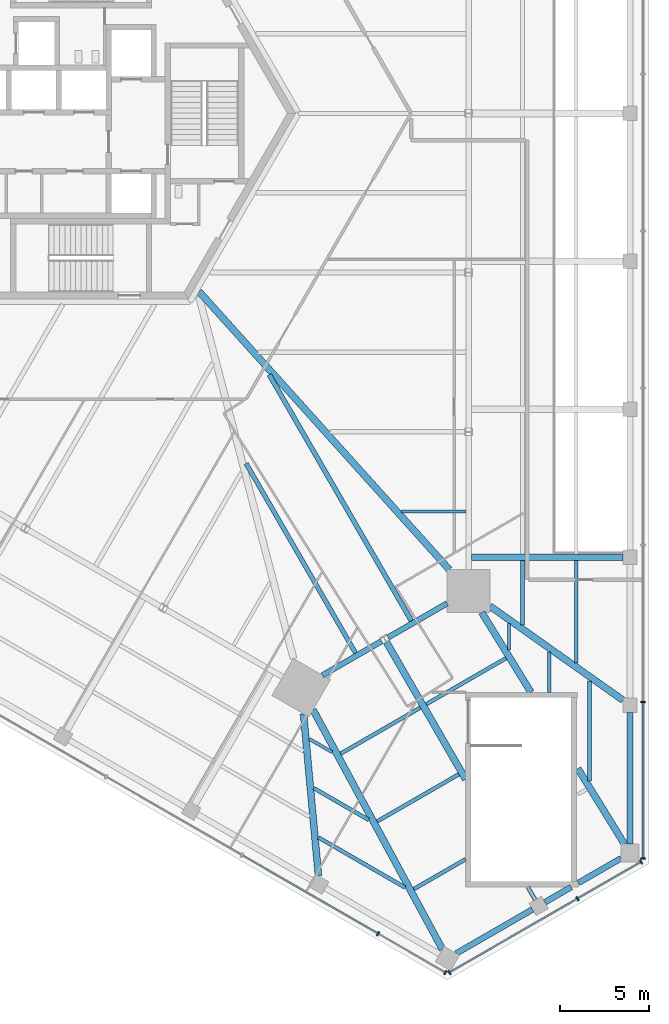
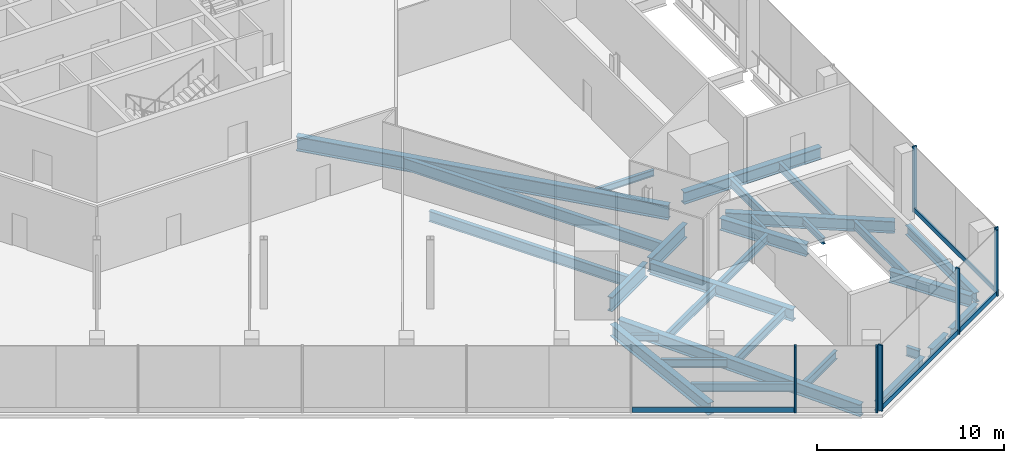
# One storey, part 10 of 25: 30 beams, 11 members, 3 elements without a shape of their own.
"""IFC4 building model written with IfcOpenShell, lengths in metres."""

from ifc_helpers import new_model, si_unit, direction, frame, origin, origin_2d, place, context, subcontext, project, spatial, rectangle, i_section, extrude, source, transform, mapped, material, material_profile, profile_set, type_object, element, aggregate, save


model = new_model("IFC4")

# Units and contexts
model_context = context("Model", 3, precision=1e-05, world=origin(), true_north=direction((0.0, 1.0)))
body_context = subcontext(model_context, "Body", "Model", "MODEL_VIEW")
ifc_project = project(units=[si_unit("LENGTHUNIT", "METRE"), si_unit("AREAUNIT", "SQUARE_METRE"), si_unit("VOLUMEUNIT", "CUBIC_METRE"), si_unit("PLANEANGLEUNIT", "RADIAN"), si_unit("MASSUNIT", "GRAM", prefix="KILO")], contexts=[model_context])

# Site, building, storey
site_placement = place(None, origin())
site = spatial("IfcSite", under=ifc_project, at=site_placement, CompositionType="ELEMENT")
building_placement = place(site_placement, origin())
building = spatial("IfcBuilding", under=site, at=building_placement, Name="Triune Harvest Tower", CompositionType="ELEMENT")
storey_placement = place(building_placement, frame((0.0, 0.0, 11.5)))
storey = spatial("IfcBuildingStorey", under=building, at=storey_placement, Name="L02", CompositionType="ELEMENT", Elevation=11.5)

# Beams
ifc_material_1 = material(Name="Steel ASTM A992 Gr 50", Category="steel")
ifc_material_profile_1 = material_profile(ifc_material_1, i_section(OverallWidth=0.309814453125, OverallDepth=0.93212890625, WebThickness=0.02099609375, FlangeThickness=0.034423828125, at=origin_2d()), Name="W36x210")
ifc_profile_set_1 = profile_set([ifc_material_profile_1], Name="Steel ASTM A992 Gr 50")
beam_type_1 = type_object("IfcBeamType", Name="SB-3 Spandrel beam W36x210", PredefinedType="SPANDREL", material=ifc_profile_set_1)
shared_shape_1 = source(origin(), body_context, "Body", "SweptSolid", [
    extrude(i_section(OverallWidth=0.309814453125, OverallDepth=0.93212890625, WebThickness=0.02099609375, FlangeThickness=0.034423828125, at=origin_2d()), origin(), (0.0, 0.0, 1.0), 3.822265625),
])
beam_1_placement = place(storey_placement, frame((17.169189453125, -29.333984375, -0.666015625), z_axis=(0.866033487859, 0.499985997711, 0.0), x_axis=(-0.499985997711, 0.866033487859, 0.0)))
element("IfcBeam", 1, at=beam_1_placement, inside=storey, type_object=beam_type_1, Name="beam/L02/SB24", PredefinedType="SPANDREL", context=body_context, shape_type="MappedRepresentation", body=[
    mapped(shared_shape_1, transform((0.0, 0.0, 0.0), scale=1.0)),
])
shared_shape_2 = source(origin(), body_context, "Body", "SweptSolid", [
    extrude(i_section(OverallWidth=0.309814453125, OverallDepth=0.93212890625, WebThickness=0.02099609375, FlangeThickness=0.034423828125, at=origin_2d()), origin(), (0.0, 0.0, 1.0), 3.822509765625),
])
beam_2_placement = place(storey_placement, frame((13.509033203125, -31.447265625, -0.666015625), z_axis=(0.866005830769, 0.500033899925, 0.0), x_axis=(-0.500033899925, 0.866005830769, 0.0)))
element("IfcBeam", 2, at=beam_2_placement, inside=storey, type_object=beam_type_1, Name="beam/L02/SB23", PredefinedType="SPANDREL", context=body_context, shape_type="MappedRepresentation", body=[
    mapped(shared_shape_2, transform((0.0, 0.0, 0.0), scale=1.0)),
])
ifc_material_2 = material(Name="Steel ASTM A992 Gr 50", Category="steel")
ifc_material_profile_2 = material_profile(ifc_material_2, i_section(OverallWidth=0.383544921875, OverallDepth=0.9423828125, WebThickness=0.022216796875, FlangeThickness=0.039794921875, at=origin_2d()), Name="W36x232")
ifc_profile_set_2 = profile_set([ifc_material_profile_2], Name="Steel ASTM A992 Gr 50")
beam_type_2 = type_object("IfcBeamType", Name="HG-1 Hip girder W36x232", PredefinedType="BEAM", material=ifc_profile_set_2)
shared_shape_3 = source(origin(), body_context, "Body", "SweptSolid", [
    extrude(i_section(OverallWidth=0.383544921875, OverallDepth=0.9423828125, WebThickness=0.022216796875, FlangeThickness=0.039794921875, at=origin_2d()), origin(), (0.0, 0.0, 1.0), 20.933349609375),
])
beam_3_placement = place(storey_placement, frame((20.599365234375, -25.530029296875, -0.671142578125), z_axis=(-0.668990505388, 0.743270949049, 0.0), x_axis=(-0.743270949049, -0.668990505388, 0.0)))
element("IfcBeam", 3, at=beam_3_placement, inside=storey, type_object=beam_type_2, Name="beam/L02/HG1", PredefinedType="BEAM", context=body_context, shape_type="MappedRepresentation", body=[
    mapped(shared_shape_3, transform((0.0, 0.0, 0.0), scale=1.0)),
])
ifc_material_3 = material(Name="Steel ASTM A992 Gr 50", Category="steel")
ifc_material_profile_3 = material_profile(ifc_material_3, i_section(OverallWidth=0.180908203125, OverallDepth=0.41650390625, WebThickness=0.010986328125, FlangeThickness=0.01806640625, at=origin_2d()), Name="W16x57")
ifc_profile_set_3 = profile_set([ifc_material_profile_3], Name="Steel ASTM A992 Gr 50")
beam_type_3 = type_object("IfcBeamType", Name="JT-1 Floor joist W16x57", PredefinedType="JOIST", material=ifc_profile_set_3)
shared_shape_4 = source(origin(), body_context, "Body", "SweptSolid", [
    extrude(i_section(OverallWidth=0.180908203125, OverallDepth=0.41650390625, WebThickness=0.010986328125, FlangeThickness=0.01806640625, at=origin_2d()), origin(), (0.0, 0.0, 1.0), 3.596923828125),
])
beam_4_placement = place(storey_placement, frame((21.524658203125, -22.27490234375, -0.408203125), z_axis=(-1.0, 0.0, 0.0), x_axis=(0.0, -1.0, 0.0)))
element("IfcBeam", 4, at=beam_4_placement, inside=storey, type_object=beam_type_3, Name="beam/L02/JT1", PredefinedType="JOIST", context=body_context, shape_type="MappedRepresentation", body=[
    mapped(shared_shape_4, transform((0.0, 0.0, 0.0), scale=1.0)),
])
ifc_material_4 = material(Name="Steel ASTM A992 Gr 50", Category="steel")
ifc_material_profile_4 = material_profile(ifc_material_4, i_section(OverallWidth=0.2666015625, OverallDepth=0.7568359375, WebThickness=0.013916015625, FlangeThickness=0.019287109375, at=origin_2d()), Name="W30x108")
ifc_profile_set_4 = profile_set([ifc_material_profile_4], Name="Steel ASTM A992 Gr 50")
beam_type_4 = type_object("IfcBeamType", Name="JT-5 Floor joist W30x108", PredefinedType="JOIST", material=ifc_profile_set_4)
shared_shape_5 = source(origin(), body_context, "Body", "SweptSolid", [
    extrude(i_section(OverallWidth=0.2666015625, OverallDepth=0.7568359375, WebThickness=0.013916015625, FlangeThickness=0.019287109375, at=origin_2d()), origin(), (0.0, 0.0, 1.0), 15.9052734375),
])
beam_5_placement = place(storey_placement, frame((18.478515625, -28.399169921875, -0.57861328125), z_axis=(-0.499998823592, 0.866026082983, 0.0), x_axis=(-0.866026082983, -0.499998823592, 0.0)))
element("IfcBeam", 5, at=beam_5_placement, inside=storey, type_object=beam_type_4, Name="beam/L02/JT39", PredefinedType="JOIST", context=body_context, shape_type="MappedRepresentation", body=[
    mapped(shared_shape_5, transform((0.0, 0.0, 0.0), scale=1.0)),
])
ifc_material_5 = material(Name="Steel ASTM A992 Gr 50", Category="steel")
ifc_material_profile_5 = material_profile(ifc_material_5, i_section(OverallWidth=0.253662109375, OverallDepth=0.683349609375, WebThickness=0.012451171875, FlangeThickness=0.01904296875, at=origin_2d()), Name="W27x94")
ifc_profile_set_5 = profile_set([ifc_material_profile_5], Name="Steel ASTM A992 Gr 50")
beam_type_5 = type_object("IfcBeamType", Name="JT-4 Floor joist W27x94", PredefinedType="JOIST", material=ifc_profile_set_5)
shared_shape_6 = source(origin(), body_context, "Body", "SweptSolid", [
    extrude(i_section(OverallWidth=0.253662109375, OverallDepth=0.683349609375, WebThickness=0.012451171875, FlangeThickness=0.01904296875, at=origin_2d()), origin(), (0.0, 0.0, 1.0), 12.248291015625),
])
beam_6_placement = place(storey_placement, frame((15.35498046875, -30.202392578125, -0.54150390625), z_axis=(-0.499989318644, 0.86603157058, 0.0), x_axis=(-0.86603157058, -0.499989318644, 0.0)))
element("IfcBeam", 6, at=beam_6_placement, inside=storey, type_object=beam_type_5, Name="beam/L02/JT38", PredefinedType="JOIST", context=body_context, shape_type="MappedRepresentation", body=[
    mapped(shared_shape_6, transform((0.0, 0.0, 0.0), scale=1.0)),
])
ifc_material_6 = material(Name="Steel ASTM A992 Gr 50", Category="steel")
ifc_material_profile_6 = material_profile(ifc_material_6, i_section(OverallWidth=0.32763671875, OverallDepth=0.62744140625, WebThickness=0.0166015625, FlangeThickness=0.027587890625, at=origin_2d()), Name="W24x146")
ifc_profile_set_6 = profile_set([ifc_material_profile_6], Name="Steel ASTM A992 Gr 50")
beam_type_6 = type_object("IfcBeamType", Name="PD-4 Podium edge beam W24x146", PredefinedType="BEAM", material=ifc_profile_set_6)
shared_shape_7 = source(origin(), body_context, "Body", "SweptSolid", [
    extrude(i_section(OverallWidth=0.32763671875, OverallDepth=0.62744140625, WebThickness=0.0166015625, FlangeThickness=0.027587890625, at=origin_2d()), origin(), (0.0, 0.0, 1.0), 7.3798828125),
])
beam_7_placement = place(storey_placement, frame((30.715087890625, -40.89990234375, -0.513671875), z_axis=(0.0, 1.0, 0.0), x_axis=(-1.0, 0.0, 0.0)))
element("IfcBeam", 7, at=beam_7_placement, inside=storey, type_object=beam_type_6, Name="beam/L02/PE1", PredefinedType="BEAM", context=body_context, shape_type="MappedRepresentation", body=[
    mapped(shared_shape_7, transform((0.0, 0.0, 0.0), scale=1.0)),
])
shared_shape_8 = source(origin(), body_context, "Body", "SweptSolid", [
    extrude(i_section(OverallWidth=0.32763671875, OverallDepth=0.62744140625, WebThickness=0.0166015625, FlangeThickness=0.027587890625, at=origin_2d()), origin(), (0.0, 0.0, 1.0), 2.75390625),
])
beam_8_placement = place(storey_placement, frame((27.830078125, -43.065673828125, -0.513671875), z_axis=(0.866030577522, 0.499991038717, 0.0), x_axis=(-0.499991038717, 0.866030577522, 0.0)))
element("IfcBeam", 8, at=beam_8_placement, inside=storey, type_object=beam_type_6, Name="beam/L02/PE38", PredefinedType="BEAM", context=body_context, shape_type="MappedRepresentation", body=[
    mapped(shared_shape_8, transform((0.0, 0.0, 0.0), scale=1.0)),
])
shared_shape_9 = source(origin(), body_context, "Body", "SweptSolid", [
    extrude(i_section(OverallWidth=0.32763671875, OverallDepth=0.62744140625, WebThickness=0.0166015625, FlangeThickness=0.027587890625, at=origin_2d()), origin(), (0.0, 0.0, 1.0), 1.699951171875),
])
beam_9_placement = place(storey_placement, frame((25.951904296875, -44.14990234375, -0.513671875), z_axis=(0.866087547558, 0.499892348375, 0.0), x_axis=(-0.499892348375, 0.866087547558, 0.0)))
element("IfcBeam", 9, at=beam_9_placement, inside=storey, type_object=beam_type_6, Name="beam/L02/PE37", PredefinedType="BEAM", context=body_context, shape_type="MappedRepresentation", body=[
    mapped(shared_shape_9, transform((0.0, 0.0, 0.0), scale=1.0)),
])
shared_shape_10 = source(origin(), body_context, "Body", "SweptSolid", [
    extrude(i_section(OverallWidth=0.32763671875, OverallDepth=0.62744140625, WebThickness=0.0166015625, FlangeThickness=0.027587890625, at=origin_2d()), origin(), (0.0, 0.0, 1.0), 4.922607421875),
])
beam_10_placement = place(storey_placement, frame((20.995849609375, -47.01123046875, -0.513671875), z_axis=(0.866040230151, 0.499974319101, 0.0), x_axis=(-0.499974319101, 0.866040230151, 0.0)))
element("IfcBeam", 10, at=beam_10_placement, inside=storey, type_object=beam_type_6, Name="beam/L02/PE36", PredefinedType="BEAM", context=body_context, shape_type="MappedRepresentation", body=[
    mapped(shared_shape_10, transform((0.0, 0.0, 0.0), scale=1.0)),
])
ifc_material_7 = material(Name="Steel ASTM A992 Gr 50", Category="steel")
ifc_material_profile_7 = material_profile(ifc_material_7, i_section(OverallWidth=0.381103515625, OverallDepth=0.772216796875, WebThickness=0.0166015625, FlangeThickness=0.027099609375, at=origin_2d()), Name="W30x173")
ifc_profile_set_7 = profile_set([ifc_material_profile_7], Name="Steel ASTM A992 Gr 50")
beam_type_7 = type_object("IfcBeamType", Name="PD-3 Podium girder W30x173", PredefinedType="BEAM", material=ifc_profile_set_7)
shared_shape_11 = source(origin(), body_context, "Body", "SweptSolid", [
    extrude(i_section(OverallWidth=0.381103515625, OverallDepth=0.772216796875, WebThickness=0.0166015625, FlangeThickness=0.027099609375, at=origin_2d()), origin(), (0.0, 0.0, 1.0), 4.97119140625),
])
beam_11_placement = place(storey_placement, frame((30.406982421875, -40.89990234375, -0.586181640625), z_axis=(-0.524420727845, 0.851459276892, 0.0), x_axis=(-0.851459276892, -0.524420727845, 0.0)))
element("IfcBeam", 11, at=beam_11_placement, inside=storey, type_object=beam_type_7, Name="beam/L02/PR1", PredefinedType="BEAM", context=body_context, shape_type="MappedRepresentation", body=[
    mapped(shared_shape_11, transform((0.0, 0.0, 0.0), scale=1.0)),
])
shared_shape_12 = source(origin(), body_context, "Body", "SweptSolid", [
    extrude(i_section(OverallWidth=0.381103515625, OverallDepth=0.772216796875, WebThickness=0.0166015625, FlangeThickness=0.027099609375, at=origin_2d()), origin(), (0.0, 0.0, 1.0), 5.249755859375),
])
beam_12_placement = place(storey_placement, frame((25.171875, -32.39990234375, -0.586181640625), z_axis=(-0.524432098378, 0.851452273584, 0.0), x_axis=(-0.851452273584, -0.524432098378, 0.0)))
element("IfcBeam", 12, at=beam_12_placement, inside=storey, type_object=beam_type_7, Name="beam/L02/PR2", PredefinedType="BEAM", context=body_context, shape_type="MappedRepresentation", body=[
    mapped(shared_shape_12, transform((0.0, 0.0, 0.0), scale=1.0)),
])
shared_shape_13 = source(origin(), body_context, "Body", "SweptSolid", [
    extrude(i_section(OverallWidth=0.381103515625, OverallDepth=0.772216796875, WebThickness=0.0166015625, FlangeThickness=0.027099609375, at=origin_2d()), origin(), (0.0, 0.0, 1.0), 9.107421875),
])
beam_13_placement = place(storey_placement, frame((30.315185546875, -32.837158203125, -0.586181640625), z_axis=(-0.816463107169, 0.577397605323, 0.0), x_axis=(-0.577397605323, -0.816463107169, 0.0)))
element("IfcBeam", 13, at=beam_13_placement, inside=storey, type_object=beam_type_7, Name="beam/L02/PR3", PredefinedType="BEAM", context=body_context, shape_type="MappedRepresentation", body=[
    mapped(shared_shape_13, transform((0.0, 0.0, 0.0), scale=1.0)),
])
shared_shape_14 = source(origin(), body_context, "Body", "SweptSolid", [
    extrude(i_section(OverallWidth=0.381103515625, OverallDepth=0.772216796875, WebThickness=0.0166015625, FlangeThickness=0.027099609375, at=origin_2d()), origin(), (0.0, 0.0, 1.0), 8.480712890625),
])
beam_14_placement = place(storey_placement, frame((30.315185546875, -24.840087890625, -0.586181640625), z_axis=(-1.0, 0.0, 0.0), x_axis=(0.0, -1.0, 0.0)))
element("IfcBeam", 14, at=beam_14_placement, inside=storey, type_object=beam_type_7, Name="beam/L02/PR4", PredefinedType="BEAM", context=body_context, shape_type="MappedRepresentation", body=[
    mapped(shared_shape_14, transform((0.0, 0.0, 0.0), scale=1.0)),
])
ifc_material_8 = material(Name="Steel ASTM A992 Gr 50", Category="steel")
ifc_material_profile_8 = material_profile(ifc_material_8, i_section(OverallWidth=0.22900390625, OverallDepth=0.612060546875, WebThickness=0.011962890625, FlangeThickness=0.01953125, at=origin_2d()), Name="W24x84")
ifc_profile_set_8 = profile_set([ifc_material_profile_8], Name="Steel ASTM A992 Gr 50")
beam_type_8 = type_object("IfcBeamType", Name="PD-7 Podium short girder W24x84", PredefinedType="BEAM", material=ifc_profile_set_8)
shared_shape_15 = source(origin(), body_context, "Body", "SweptSolid", [
    extrude(i_section(OverallWidth=0.22900390625, OverallDepth=0.612060546875, WebThickness=0.011962890625, FlangeThickness=0.01953125, at=origin_2d()), origin(), (0.0, 0.0, 1.0), 0.8125),
])
beam_15_placement = place(storey_placement, frame((25.405517578125, -44.003662109375, -0.506103515625), z_axis=(-0.500017246033, 0.866015446554, 0.0), x_axis=(-0.866015446554, -0.500017246033, 0.0)))
element("IfcBeam", 15, at=beam_15_placement, inside=storey, type_object=beam_type_8, Name="beam/L02/PR39", PredefinedType="BEAM", context=body_context, shape_type="MappedRepresentation", body=[
    mapped(shared_shape_15, transform((0.0, 0.0, 0.0), scale=1.0)),
])
shared_shape_16 = source(origin(), body_context, "Body", "SweptSolid", [
    extrude(i_section(OverallWidth=0.381103515625, OverallDepth=0.772216796875, WebThickness=0.0166015625, FlangeThickness=0.027099609375, at=origin_2d()), origin(), (0.0, 0.0, 1.0), 8.84814453125),
])
beam_16_placement = place(storey_placement, frame((21.52001953125, -37.273681640625, -0.586181640625), z_axis=(-0.500005886554, 0.866022005154, 0.0), x_axis=(-0.866022005154, -0.500005886554, 0.0)))
element("IfcBeam", 16, at=beam_16_placement, inside=storey, type_object=beam_type_7, Name="beam/L02/PR40", PredefinedType="BEAM", context=body_context, shape_type="MappedRepresentation", body=[
    mapped(shared_shape_16, transform((0.0, 0.0, 0.0), scale=1.0)),
])
shared_shape_17 = source(origin(), body_context, "Body", "SweptSolid", [
    extrude(i_section(OverallWidth=0.381103515625, OverallDepth=0.772216796875, WebThickness=0.0166015625, FlangeThickness=0.027099609375, at=origin_2d()), origin(), (0.0, 0.0, 1.0), 15.232666015625),
])
beam_17_placement = place(storey_placement, frame((20.216796875, -46.783203125, -0.586181640625), z_axis=(-0.475168024555, 0.879895078086, 0.0), x_axis=(-0.879895078086, -0.475168024555, 0.0)))
element("IfcBeam", 17, at=beam_17_placement, inside=storey, type_object=beam_type_7, Name="beam/L02/PR38", PredefinedType="BEAM", context=body_context, shape_type="MappedRepresentation", body=[
    mapped(shared_shape_17, transform((0.0, 0.0, 0.0), scale=1.0)),
])
shared_shape_18 = source(origin(), body_context, "Body", "SweptSolid", [
    extrude(i_section(OverallWidth=0.381103515625, OverallDepth=0.772216796875, WebThickness=0.0166015625, FlangeThickness=0.027099609375, at=origin_2d()), origin(), (0.0, 0.0, 1.0), 9.107177734375),
])
beam_18_placement = place(storey_placement, frame((13.2802734375, -42.672119140625, -0.586181640625), z_axis=(-0.091816732647, 0.995775922387, 0.0), x_axis=(-0.995775922387, -0.091816732647, 0.0)))
element("IfcBeam", 18, at=beam_18_placement, inside=storey, type_object=beam_type_7, Name="beam/L02/PR37", PredefinedType="BEAM", context=body_context, shape_type="MappedRepresentation", body=[
    mapped(shared_shape_18, transform((0.0, 0.0, 0.0), scale=1.0)),
])
ifc_material_9 = material(Name="Steel ASTM A992 Gr 50", Category="steel")
ifc_material_profile_9 = material_profile(ifc_material_9, i_section(OverallWidth=0.2138671875, OverallDepth=0.548583984375, WebThickness=0.0146484375, FlangeThickness=0.023681640625, at=origin_2d()), Name="W21x93")
ifc_profile_set_9 = profile_set([ifc_material_profile_9], Name="Steel ASTM A992 Gr 50")
beam_type_9 = type_object("IfcBeamType", Name="PD-5 Podium joist W21x93", PredefinedType="JOIST", material=ifc_profile_set_9)
shared_shape_19 = source(origin(), body_context, "Body", "SweptSolid", [
    extrude(i_section(OverallWidth=0.2138671875, OverallDepth=0.548583984375, WebThickness=0.0146484375, FlangeThickness=0.023681640625, at=origin_2d()), origin(), (0.0, 0.0, 1.0), 5.613525390625),
])
beam_19_placement = place(storey_placement, frame((28.456298828125, -37.369384765625, -0.474365234375), z_axis=(0.0, 1.0, 0.0), x_axis=(-1.0, 0.0, 0.0)))
element("IfcBeam", 19, at=beam_19_placement, inside=storey, type_object=beam_type_9, Name="beam/L02/PJ1", PredefinedType="JOIST", context=body_context, shape_type="MappedRepresentation", body=[
    mapped(shared_shape_19, transform((0.0, 0.0, 0.0), scale=1.0)),
])
ifc_material_10 = material(Name="Steel ASTM A992 Gr 50", Category="steel")
ifc_material_profile_10 = material_profile(ifc_material_10, i_section(OverallWidth=0.180908203125, OverallDepth=0.41650390625, WebThickness=0.010986328125, FlangeThickness=0.01806640625, at=origin_2d()), Name="W16x57")
ifc_profile_set_10 = profile_set([ifc_material_profile_10], Name="Steel ASTM A992 Gr 50")
beam_type_10 = type_object("IfcBeamType", Name="PD-6 Podium short joist W16x57", PredefinedType="JOIST", material=ifc_profile_set_10)
shared_shape_20 = source(origin(), body_context, "Body", "SweptSolid", [
    extrude(i_section(OverallWidth=0.180908203125, OverallDepth=0.41650390625, WebThickness=0.010986328125, FlangeThickness=0.01806640625, at=origin_2d()), origin(), (0.0, 0.0, 1.0), 2.24169921875),
])
beam_20_placement = place(storey_placement, frame((26.197265625, -32.39990234375, -0.408203125), z_axis=(0.0, 1.0, 0.0), x_axis=(-1.0, 0.0, 0.0)))
element("IfcBeam", 20, at=beam_20_placement, inside=storey, type_object=beam_type_10, Name="beam/L02/PJ2", PredefinedType="JOIST", context=body_context, shape_type="MappedRepresentation", body=[
    mapped(shared_shape_20, transform((0.0, 0.0, 0.0), scale=1.0)),
])
shared_shape_21 = source(origin(), body_context, "Body", "SweptSolid", [
    extrude(i_section(OverallWidth=0.180908203125, OverallDepth=0.41650390625, WebThickness=0.010986328125, FlangeThickness=0.01806640625, at=origin_2d()), origin(), (0.0, 0.0, 1.0), 1.473388671875),
])
for number, where, z_axis, x_axis, name in (
    (21, (23.9384765625, -30.0341796875, -0.408203125), (0.0, 1.0, 0.0), (-1.0, 0.0, 0.0), "beam/L02/PJ3"),
    (22, (12.76513671875, -35.01171875, -0.408203125), (0.866083503307, -0.499899355171, 0.0), (0.499899355171, 0.866083503307, 0.0), "beam/L02/PJ77"),
):
    element("IfcBeam", number, at=place(storey_placement, frame(where, z_axis=z_axis, x_axis=x_axis)), inside=storey, type_object=beam_type_10, Name=name, PredefinedType="JOIST", context=body_context, shape_type="MappedRepresentation", body=[
        mapped(shared_shape_21, transform((0.0, 0.0, 0.0), scale=1.0)),
    ])
shared_shape_22 = source(origin(), body_context, "Body", "SweptSolid", [
    extrude(i_section(OverallWidth=0.2138671875, OverallDepth=0.548583984375, WebThickness=0.0146484375, FlangeThickness=0.023681640625, at=origin_2d()), origin(), (0.0, 0.0, 1.0), 5.72607421875),
])
beam_21_placement = place(storey_placement, frame((27.703125, -30.756591796875, -0.474365234375), z_axis=(0.0, 1.0, 0.0), x_axis=(-1.0, 0.0, 0.0)))
element("IfcBeam", 23, at=beam_21_placement, inside=storey, type_object=beam_type_9, Name="beam/L02/PJ4", PredefinedType="JOIST", context=body_context, shape_type="MappedRepresentation", body=[
    mapped(shared_shape_22, transform((0.0, 0.0, 0.0), scale=1.0)),
])
shared_shape_23 = source(origin(), body_context, "Body", "SweptSolid", [
    extrude(i_section(OverallWidth=0.2138671875, OverallDepth=0.548583984375, WebThickness=0.0146484375, FlangeThickness=0.023681640625, at=origin_2d()), origin(), (0.0, 0.0, 1.0), 3.59619140625),
])
beam_22_placement = place(storey_placement, frame((24.69140625, -28.626708984375, -0.474365234375), z_axis=(0.0, 1.0, 0.0), x_axis=(-1.0, 0.0, 0.0)))
element("IfcBeam", 24, at=beam_22_placement, inside=storey, type_object=beam_type_9, Name="beam/L02/PJ5", PredefinedType="JOIST", context=body_context, shape_type="MappedRepresentation", body=[
    mapped(shared_shape_23, transform((0.0, 0.0, 0.0), scale=1.0)),
])
shared_shape_24 = source(origin(), body_context, "Body", "SweptSolid", [
    extrude(i_section(OverallWidth=0.2138671875, OverallDepth=0.548583984375, WebThickness=0.0146484375, FlangeThickness=0.023681640625, at=origin_2d()), origin(), (0.0, 0.0, 1.0), 5.151611328125),
])
beam_23_placement = place(storey_placement, frame((19.31201171875, -33.068603515625, -0.474365234375), z_axis=(0.866035639972, 0.499982269985, 0.0), x_axis=(-0.499982269985, 0.866035639972, 0.0)))
element("IfcBeam", 25, at=beam_23_placement, inside=storey, type_object=beam_type_9, Name="beam/L02/PJ82", PredefinedType="JOIST", context=body_context, shape_type="MappedRepresentation", body=[
    mapped(shared_shape_24, transform((0.0, 0.0, 0.0), scale=1.0)),
])
shared_shape_25 = source(origin(), body_context, "Body", "SweptSolid", [
    extrude(i_section(OverallWidth=0.2138671875, OverallDepth=0.548583984375, WebThickness=0.0146484375, FlangeThickness=0.023681640625, at=origin_2d()), origin(), (0.0, 0.0, 1.0), 3.355224609375),
])
beam_24_placement = place(storey_placement, frame((18.6142578125, -43.414794921875, -0.474365234375), z_axis=(0.866013522419, 0.500020578564, 0.0), x_axis=(-0.500020578564, 0.866013522419, 0.0)))
element("IfcBeam", 26, at=beam_24_placement, inside=storey, type_object=beam_type_9, Name="beam/L02/PJ78", PredefinedType="JOIST", context=body_context, shape_type="MappedRepresentation", body=[
    mapped(shared_shape_25, transform((0.0, 0.0, 0.0), scale=1.0)),
])
shared_shape_26 = source(origin(), body_context, "Body", "SweptSolid", [
    extrude(i_section(OverallWidth=0.2138671875, OverallDepth=0.548583984375, WebThickness=0.0146484375, FlangeThickness=0.023681640625, at=origin_2d()), origin(), (0.0, 0.0, 1.0), 5.27392578125),
])
beam_25_placement = place(storey_placement, frame((16.567626953125, -39.624755859375, -0.474365234375), z_axis=(0.866026783594, 0.499997610092, 0.0), x_axis=(-0.499997610092, 0.866026783594, 0.0)))
element("IfcBeam", 27, at=beam_25_placement, inside=storey, type_object=beam_type_9, Name="beam/L02/PJ79", PredefinedType="JOIST", context=body_context, shape_type="MappedRepresentation", body=[
    mapped(shared_shape_26, transform((0.0, 0.0, 0.0), scale=1.0)),
])
shared_shape_27 = source(origin(), body_context, "Body", "SweptSolid", [
    extrude(i_section(OverallWidth=0.2138671875, OverallDepth=0.548583984375, WebThickness=0.0146484375, FlangeThickness=0.023681640625, at=origin_2d()), origin(), (0.0, 0.0, 1.0), 5.1513671875),
])
beam_26_placement = place(storey_placement, frame((14.52099609375, -35.834716796875, -0.474365234375), z_axis=(0.866023792161, 0.500002791403, 0.0), x_axis=(-0.500002791403, 0.866023792161, 0.0)))
element("IfcBeam", 28, at=beam_26_placement, inside=storey, type_object=beam_type_9, Name="beam/L02/PJ80", PredefinedType="JOIST", context=body_context, shape_type="MappedRepresentation", body=[
    mapped(shared_shape_27, transform((0.0, 0.0, 0.0), scale=1.0)),
])
shared_shape_28 = source(origin(), body_context, "Body", "SweptSolid", [
    extrude(i_section(OverallWidth=0.2138671875, OverallDepth=0.548583984375, WebThickness=0.0146484375, FlangeThickness=0.023681640625, at=origin_2d()), origin(), (0.0, 0.0, 1.0), 5.61376953125),
])
beam_27_placement = place(storey_placement, frame((13.273193359375, -40.521484375, -0.474365234375), z_axis=(0.866021183736, -0.500007309266, 0.0), x_axis=(0.500007309266, 0.866021183736, 0.0)))
element("IfcBeam", 29, at=beam_27_placement, inside=storey, type_object=beam_type_9, Name="beam/L02/PJ75", PredefinedType="JOIST", context=body_context, shape_type="MappedRepresentation", body=[
    mapped(shared_shape_28, transform((0.0, 0.0, 0.0), scale=1.0)),
])
shared_shape_29 = source(origin(), body_context, "Body", "SweptSolid", [
    extrude(i_section(OverallWidth=0.2138671875, OverallDepth=0.548583984375, WebThickness=0.0146484375, FlangeThickness=0.023681640625, at=origin_2d()), origin(), (0.0, 0.0, 1.0), 3.54345703125),
])
beam_28_placement = place(storey_placement, frame((13.019287109375, -37.7666015625, -0.474365234375), z_axis=(0.866016916595, -0.500014699955, 0.0), x_axis=(0.500014699955, 0.866016916595, 0.0)))
element("IfcBeam", 30, at=beam_28_placement, inside=storey, type_object=beam_type_9, Name="beam/L02/PJ76", PredefinedType="JOIST", context=body_context, shape_type="MappedRepresentation", body=[
    mapped(shared_shape_29, transform((0.0, 0.0, 0.0), scale=1.0)),
])

# Curtain wall, members
ifc_material_11 = material(Name="Aluminium bronze anodised", Category="aluminium")
curtain_wall_type = type_object("IfcCurtainWallType", Name="CW-2 Podium shopfront wall", PredefinedType="NOTDEFINED", material=ifc_material_11)
curtain_wall_1_placement = place(storey_placement, origin())
curtain_wall_1 = element("IfcCurtainWall", 31, at=curtain_wall_1_placement, inside=storey, type_object=curtain_wall_type, Name="CW-2 PD-F1 L02 run 1")
ifc_material_12 = material(Name="Aluminium bronze anodised", Category="aluminium")
ifc_material_profile_11 = material_profile(ifc_material_12, rectangle(XDim=0.25, YDim=0.090087890625, at=origin_2d()), Name="MU-2 mullion 90 x 250")
ifc_profile_set_11 = profile_set([ifc_material_profile_11], Name="Aluminium bronze anodised")
member_type_1 = type_object("IfcMemberType", Name="MU-2 mullion 90 x 250", PredefinedType="MULLION", material=ifc_profile_set_11)
shared_shape_30 = source(origin(), body_context, "Body", "SweptSolid", [
    extrude(rectangle(XDim=0.25, YDim=0.090087890625, at=origin_2d()), origin(), (0.0, 0.0, 1.0), 4.300048828125),
])
member_1_placement = place(storey_placement, frame((31.454345703125, -41.69189453125, 0.0), z_axis=(0.0, 0.0, 1.0), x_axis=(-1.0, 0.0, 0.0)))
member_1 = element("IfcMember", 32, at=member_1_placement, type_object=member_type_1, Name="CW-2 mullion PD-F1 1.1", PredefinedType="MULLION", context=body_context, shape_type="MappedRepresentation", body=[
    mapped(shared_shape_30, transform((0.0, 0.0, 0.0), scale=1.0)),
])
member_2_placement = place(storey_placement, frame((31.454345703125, -32.9501953125, 0.0), z_axis=(0.0, 0.0, 1.0), x_axis=(-1.0, 0.0, 0.0)))
member_2 = element("IfcMember", 33, at=member_2_placement, type_object=member_type_1, Name="CW-2 mullion PD-F1 1.3", PredefinedType="MULLION", context=body_context, shape_type="MappedRepresentation", body=[
    mapped(shared_shape_30, transform((0.0, 0.0, 0.0), scale=1.0)),
])

curtain_wall_2_placement = place(storey_placement, origin())
curtain_wall_2 = element("IfcCurtainWall", 34, at=curtain_wall_2_placement, inside=storey, type_object=curtain_wall_type, Name="CW-2 PD-F5 L02 run 1")
member_3_placement = place(storey_placement, frame((16.61328125, -45.911865234375, 0.0), z_axis=(0.0, 0.0, 1.0), x_axis=(0.500000221117, 0.866025276122, 0.0)))
member_3 = element("IfcMember", 35, at=member_3_placement, type_object=member_type_1, Name="CW-2 mullion PD-F5 1.19", PredefinedType="MULLION", context=body_context, shape_type="MappedRepresentation", body=[
    mapped(shared_shape_30, transform((0.0, 0.0, 0.0), scale=1.0)),
])
member_4_placement = place(storey_placement, frame((20.37890625, -48.086181640625, 0.0), z_axis=(0.0, 0.0, 1.0), x_axis=(0.500000221117, 0.866025276122, 0.0)))
member_4 = element("IfcMember", 36, at=member_4_placement, type_object=member_type_1, Name="CW-2 mullion PD-F5 1.20", PredefinedType="MULLION", context=body_context, shape_type="MappedRepresentation", body=[
    mapped(shared_shape_30, transform((0.0, 0.0, 0.0), scale=1.0)),
])

curtain_wall_3_placement = place(storey_placement, origin())
curtain_wall_3 = element("IfcCurtainWall", 37, at=curtain_wall_3_placement, inside=storey, type_object=curtain_wall_type, Name="CW-2 PD-F6 L02 run 1")
member_5_placement = place(storey_placement, frame((20.61279296875, -48.086181640625, 0.0), z_axis=(0.0, 0.0, 1.0), x_axis=(-0.49999791425, 0.866026607989, 0.0)))
member_5 = element("IfcMember", 38, at=member_5_placement, type_object=member_type_1, Name="CW-2 mullion PD-F6 1.1", PredefinedType="MULLION", context=body_context, shape_type="MappedRepresentation", body=[
    mapped(shared_shape_30, transform((0.0, 0.0, 0.0), scale=1.0)),
])
member_6_placement = place(storey_placement, frame((27.775634765625, -43.95068359375, 0.0), z_axis=(0.0, 0.0, 1.0), x_axis=(-0.49999791425, 0.866026607989, 0.0)))
member_6 = element("IfcMember", 39, at=member_6_placement, type_object=member_type_1, Name="CW-2 mullion PD-F6 1.3", PredefinedType="MULLION", context=body_context, shape_type="MappedRepresentation", body=[
    mapped(shared_shape_30, transform((0.0, 0.0, 0.0), scale=1.0)),
])
member_7_placement = place(storey_placement, frame((31.33740234375, -41.894287109375, 0.0), z_axis=(0.0, 0.0, 1.0), x_axis=(-0.49999791425, 0.866026607989, 0.0)))
member_7 = element("IfcMember", 40, at=member_7_placement, type_object=member_type_1, Name="CW-2 mullion PD-F6 1.4", PredefinedType="MULLION", context=body_context, shape_type="MappedRepresentation", body=[
    mapped(shared_shape_30, transform((0.0, 0.0, 0.0), scale=1.0)),
])

# Member
ifc_material_13 = material(Name="Aluminium bronze anodised", Category="aluminium")
ifc_material_profile_12 = material_profile(ifc_material_13, rectangle(XDim=0.10009765625, YDim=0.300048828125, at=origin_2d()), Name="TR-2 transom 100 x 300")
ifc_profile_set_12 = profile_set([ifc_material_profile_12], Name="Aluminium bronze anodised")
member_type_2 = type_object("IfcMemberType", Name="TR-2 transom 100 x 300", PredefinedType="USERDEFINED", material=ifc_profile_set_12)
shared_shape_31 = source(origin(), body_context, "Body", "SweptSolid", [
    extrude(rectangle(XDim=0.10009765625, YDim=0.300048828125, at=origin_2d()), origin(), (0.0, 0.0, 1.0), 8.651611328125),
])
member_8_placement = place(storey_placement, frame((31.454345703125, -41.646728515625, 0.14990234375), z_axis=(0.0, 1.0, 0.0), x_axis=(-1.0, 0.0, 0.0)))
member_8 = element("IfcMember", 41, at=member_8_placement, type_object=member_type_2, Name="CW-2 transom PD-F1 1.1", ObjectType="TRANSOM", PredefinedType="USERDEFINED", context=body_context, shape_type="MappedRepresentation", body=[
    mapped(shared_shape_31, transform((0.0, 0.0, 0.0), scale=1.0)),
])

aggregate(curtain_wall_1, [member_1, member_2, member_8])

shared_shape_32 = source(origin(), body_context, "Body", "SweptSolid", [
    extrude(rectangle(XDim=0.10009765625, YDim=0.300048828125, at=origin_2d()), origin(), (0.0, 0.0, 1.0), 8.69677734375),
])
member_9_placement = place(storey_placement, frame((9.042724609375, -41.541015625, 0.14990234375), z_axis=(0.86602149507, -0.500006770031, 0.0), x_axis=(0.500006770031, 0.86602149507, 0.0)))
member_9 = element("IfcMember", 42, at=member_9_placement, type_object=member_type_2, Name="CW-2 transom PD-F5 1.9", ObjectType="TRANSOM", PredefinedType="USERDEFINED", context=body_context, shape_type="MappedRepresentation", body=[
    mapped(shared_shape_32, transform((0.0, 0.0, 0.0), scale=1.0)),
])

aggregate(curtain_wall_2, [member_3, member_4, member_9])

shared_shape_33 = source(origin(), body_context, "Body", "SweptSolid", [
    extrude(rectangle(XDim=0.10009765625, YDim=0.300048828125, at=origin_2d()), origin(), (0.0, 0.0, 1.0), 4.02294921875),
])
member_10_placement = place(storey_placement, frame((27.814453125, -43.92822265625, 0.14990234375), z_axis=(0.866019841608, 0.500009633848, 0.0), x_axis=(-0.500009633848, 0.866019841608, 0.0)))
member_10 = element("IfcMember", 43, at=member_10_placement, type_object=member_type_2, Name="CW-2 transom PD-F6 1.2", ObjectType="TRANSOM", PredefinedType="USERDEFINED", context=body_context, shape_type="MappedRepresentation", body=[
    mapped(shared_shape_33, transform((0.0, 0.0, 0.0), scale=1.0)),
])

shared_shape_34 = source(origin(), body_context, "Body", "SweptSolid", [
    extrude(rectangle(XDim=0.10009765625, YDim=0.300048828125, at=origin_2d()), origin(), (0.0, 0.0, 1.0), 8.180908203125),
])
member_11_placement = place(storey_placement, frame((20.65185546875, -48.063720703125, 0.14990234375), z_axis=(0.866014128274, 0.500019529248, 0.0), x_axis=(-0.500019529248, 0.866014128274, 0.0)))
member_11 = element("IfcMember", 44, at=member_11_placement, type_object=member_type_2, Name="CW-2 transom PD-F6 1.1", ObjectType="TRANSOM", PredefinedType="USERDEFINED", context=body_context, shape_type="MappedRepresentation", body=[
    mapped(shared_shape_34, transform((0.0, 0.0, 0.0), scale=1.0)),
])

aggregate(curtain_wall_3, [member_5, member_6, member_7, member_11, member_10])

save(model, "model.ifc")
